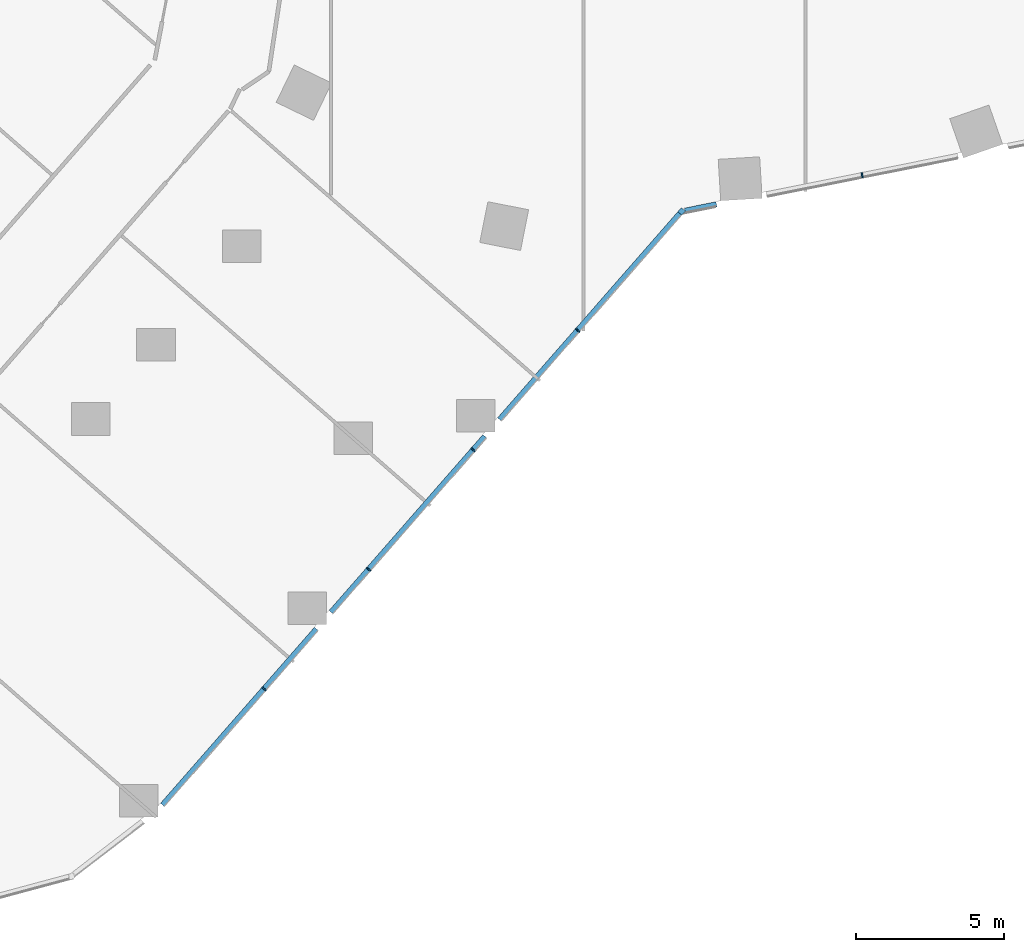
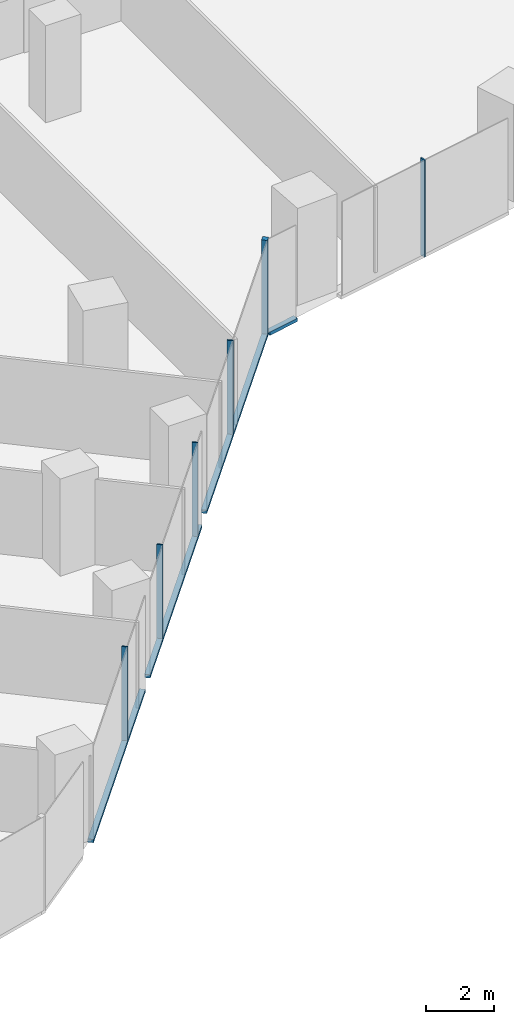
# One storey, part 4 of 38: 10 members, 2 elements without a shape of their own.
"""IFC4 building model written with IfcOpenShell, lengths in metres."""

from ifc_helpers import new_model, si_unit, direction, frame, origin, origin_2d, place, context, subcontext, project, spatial, rectangle, extrude, material, material_profile, profile_set, type_object, element, aggregate, save


model = new_model("IFC4")

# Units and contexts
model_context = context("Model", 3, precision=1e-05, world=origin(), true_north=direction((0.0, 1.0)))
body_context = subcontext(model_context, "Body", "Model", "MODEL_VIEW")
ifc_project = project(units=[si_unit("LENGTHUNIT", "METRE"), si_unit("AREAUNIT", "SQUARE_METRE"), si_unit("VOLUMEUNIT", "CUBIC_METRE"), si_unit("PLANEANGLEUNIT", "RADIAN"), si_unit("MASSUNIT", "GRAM", prefix="KILO")], contexts=[model_context])

# Site, building, storey
site_placement = place(None, origin())
site = spatial("IfcSite", under=ifc_project, at=site_placement, CompositionType="ELEMENT")
building_placement = place(site_placement, origin())
building = spatial("IfcBuilding", under=site, at=building_placement, Name="Orlundy Tower", CompositionType="ELEMENT")
storey_placement = place(building_placement, frame((0.0, 0.0, 65.800048828125)))
storey = spatial("IfcBuildingStorey", under=building, at=storey_placement, Name="L15", CompositionType="ELEMENT", Elevation=65.800048828125)

# Curtain wall, member
ifc_material_1 = material(Name="Aluminium bronze anodised", Category="aluminium")
curtain_wall_type = type_object("IfcCurtainWallType", Name="CW1 wall", PredefinedType="NOTDEFINED", material=ifc_material_1)
curtain_wall_1_placement = place(storey_placement, origin())
curtain_wall_1 = element("IfcCurtainWall", 1, at=curtain_wall_1_placement, inside=storey, type_object=curtain_wall_type, Name="CW1 run 02", PredefinedType="NOTDEFINED")
ifc_material_2 = material(Name="Aluminium bronze anodised", Category="aluminium")
ifc_material_profile_1 = material_profile(ifc_material_2, rectangle(XDim=0.179931640625, YDim=0.179931640625, at=origin_2d()), Name="CW1 corner post 180x180")
ifc_profile_set_1 = profile_set([ifc_material_profile_1], Name="Aluminium bronze anodised")
member_type_1 = type_object("IfcMemberType", Name="CW1 corner post 180x180", PredefinedType="MULLION", material=ifc_profile_set_1)
member_1_placement = place(storey_placement, frame((-0.178466796875, -30.72412109375, -0.400146484375), z_axis=(0.0, 0.0, 1.0), x_axis=(0.752791745563, -0.658258754452, 0.0)))
member_1 = element("IfcMember", 2, at=member_1_placement, type_object=member_type_1, Name="CW1 mullion 9", PredefinedType="MULLION", context=body_context, shape_type="SweptSolid", body=[
    extrude(rectangle(XDim=0.179931640625, YDim=0.179931640625, at=origin_2d()), origin(), (0.0, 0.0, 1.0), 3.5),
])

curtain_wall_2_placement = place(storey_placement, origin())
curtain_wall_2 = element("IfcCurtainWall", 3, at=curtain_wall_2_placement, inside=storey, type_object=curtain_wall_type, Name="CW1 run 01", PredefinedType="NOTDEFINED")
ifc_material_3 = material(Name="Aluminium bronze anodised", Category="aluminium")
ifc_material_profile_2 = material_profile(ifc_material_3, rectangle(XDim=0.179931640625, YDim=0.050048828125, at=origin_2d()), Name="CW1 mullion 50x180")
ifc_profile_set_2 = profile_set([ifc_material_profile_2], Name="Aluminium bronze anodised")
member_type_2 = type_object("IfcMemberType", Name="CW1 mullion 50x180", PredefinedType="MULLION", material=ifc_profile_set_2)
member_2_placement = place(storey_placement, frame((5.9130859375, -29.503173828125, -0.400146484375), z_axis=(0.0, 0.0, 1.0), x_axis=(0.196531950572, -0.980497420907, 0.0)))
member_2 = element("IfcMember", 4, at=member_2_placement, type_object=member_type_2, Name="CW1 mullion 8", PredefinedType="MULLION", context=body_context, shape_type="SweptSolid", body=[
    extrude(rectangle(XDim=0.179931640625, YDim=0.050048828125, at=origin_2d()), origin(), (0.0, 0.0, 1.0), 3.5),
])

# Member
member_3_placement = place(storey_placement, frame((-3.6845703125, -34.73388671875, -0.400146484375), z_axis=(0.0, 0.0, 1.0), x_axis=(0.752791745563, -0.658258754452, 0.0)))
member_3 = element("IfcMember", 5, at=member_3_placement, type_object=member_type_2, Name="CW1 mullion 10", PredefinedType="MULLION", context=body_context, shape_type="SweptSolid", body=[
    extrude(rectangle(XDim=0.179931640625, YDim=0.050048828125, at=origin_2d()), origin(), (0.0, 0.0, 1.0), 3.5),
])

member_4_placement = place(storey_placement, frame((-7.210693359375, -38.766357421875, -0.400146484375), z_axis=(0.0, 0.0, 1.0), x_axis=(0.752791745563, -0.658258754452, 0.0)))
member_4 = element("IfcMember", 6, at=member_4_placement, type_object=member_type_2, Name="CW1 mullion 11", PredefinedType="MULLION", context=body_context, shape_type="SweptSolid", body=[
    extrude(rectangle(XDim=0.179931640625, YDim=0.050048828125, at=origin_2d()), origin(), (0.0, 0.0, 1.0), 3.5),
])

member_5_placement = place(storey_placement, frame((-10.73681640625, -42.799072265625, -0.400146484375), z_axis=(0.0, 0.0, 1.0), x_axis=(0.752791745563, -0.658258754452, 0.0)))
member_5 = element("IfcMember", 7, at=member_5_placement, type_object=member_type_2, Name="CW1 mullion 12", PredefinedType="MULLION", context=body_context, shape_type="SweptSolid", body=[
    extrude(rectangle(XDim=0.179931640625, YDim=0.050048828125, at=origin_2d()), origin(), (0.0, 0.0, 1.0), 3.5),
])

member_6_placement = place(storey_placement, frame((-14.262939453125, -46.83154296875, -0.400146484375), z_axis=(0.0, 0.0, 1.0), x_axis=(0.752791745563, -0.658258754452, 0.0)))
member_6 = element("IfcMember", 8, at=member_6_placement, type_object=member_type_2, Name="CW1 mullion 13", PredefinedType="MULLION", context=body_context, shape_type="SweptSolid", body=[
    extrude(rectangle(XDim=0.179931640625, YDim=0.050048828125, at=origin_2d()), origin(), (0.0, 0.0, 1.0), 3.5),
])

ifc_material_4 = material(Name="Aluminium bronze anodised", Category="aluminium")
ifc_material_profile_3 = material_profile(ifc_material_4, rectangle(XDim=0.179931640625, YDim=0.1201171875, at=origin_2d()), Name="CW1 transom 180x120")
ifc_profile_set_3 = profile_set([ifc_material_profile_3], Name="Aluminium bronze anodised")
member_type_3 = type_object("IfcMemberType", Name="CW1 transom 180x120", PredefinedType="USERDEFINED", material=ifc_profile_set_3)
member_7_placement = place(storey_placement, frame((0.997802734375, -30.488525390625, -0.340087890625), z_axis=(-0.980511450145, -0.196461945765, 0.0), x_axis=(0.196461945765, -0.980511450145, 0.0)))
member_7 = element("IfcMember", 9, at=member_7_placement, type_object=member_type_3, Name="CW1 transom", ObjectType="TRANSOM", PredefinedType="USERDEFINED", context=body_context, shape_type="SweptSolid", body=[
    extrude(rectangle(XDim=0.179931640625, YDim=0.1201171875, at=origin_2d()), origin(), (0.0, 0.0, 1.0), 1.086181640625),
])

aggregate(curtain_wall_2, [member_2, member_7])

member_8_placement = place(storey_placement, frame((-0.237548828125, -30.7919921875, -0.340087890625), z_axis=(-0.658268809442, -0.752782953125, 0.0), x_axis=(0.752782953125, -0.658268809442, 0.0)))
member_8 = element("IfcMember", 10, at=member_8_placement, type_object=member_type_3, Name="CW1 transom", ObjectType="TRANSOM", PredefinedType="USERDEFINED", context=body_context, shape_type="SweptSolid", body=[
    extrude(rectangle(XDim=0.179931640625, YDim=0.1201171875, at=origin_2d()), origin(), (0.0, 0.0, 1.0), 9.2373046875),
])

member_9_placement = place(storey_placement, frame((-6.813232421875, -38.31201171875, -0.340087890625), z_axis=(-0.658267711091, -0.752783913573, 0.0), x_axis=(0.752783913573, -0.658267711091, 0.0)))
member_9 = element("IfcMember", 11, at=member_9_placement, type_object=member_type_3, Name="CW1 transom", ObjectType="TRANSOM", PredefinedType="USERDEFINED", context=body_context, shape_type="SweptSolid", body=[
    extrude(rectangle(XDim=0.179931640625, YDim=0.1201171875, at=origin_2d()), origin(), (0.0, 0.0, 1.0), 7.880859375),
])

member_10_placement = place(storey_placement, frame((-12.4970703125, -44.81201171875, -0.340087890625), z_axis=(-0.65825685111, -0.752793409885, 0.0), x_axis=(0.752793409885, -0.65825685111, 0.0)))
member_10 = element("IfcMember", 12, at=member_10_placement, type_object=member_type_3, Name="CW1 transom", ObjectType="TRANSOM", PredefinedType="USERDEFINED", context=body_context, shape_type="SweptSolid", body=[
    extrude(rectangle(XDim=0.179931640625, YDim=0.1201171875, at=origin_2d()), origin(), (0.0, 0.0, 1.0), 7.88427734375),
])

aggregate(curtain_wall_1, [member_1, member_3, member_4, member_5, member_6, member_8, member_9, member_10])

save(model, "model.ifc")
